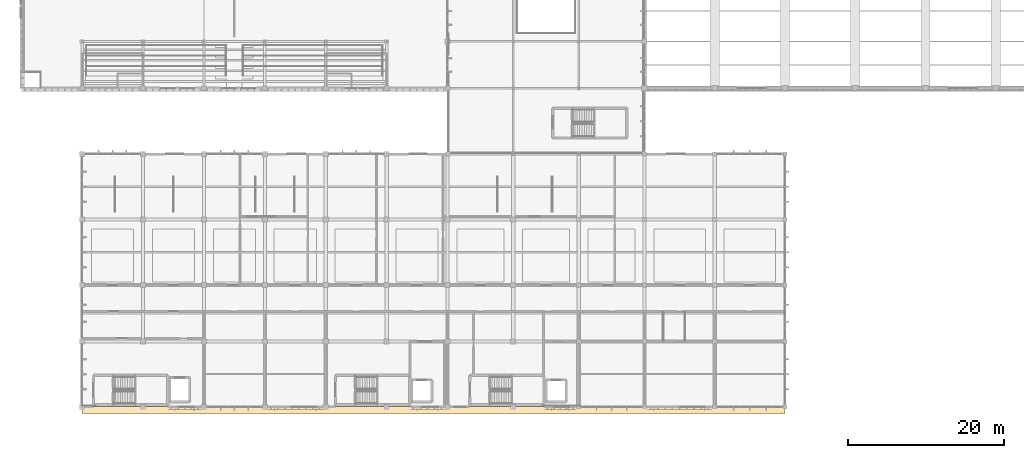
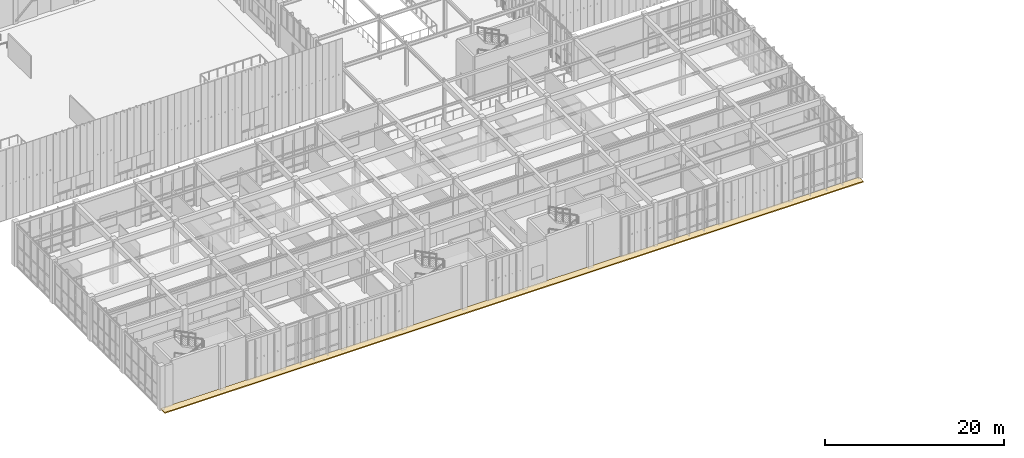
# One storey, part 90 of 105: 1 covering.
"""IFC4 building model written with IfcOpenShell, lengths in metres."""

from ifc_helpers import new_model, si_unit, direction, frame, origin, place, context, subcontext, project, spatial, polyline, outline, extrude, material, layer, layer_set, type_object, element, save


model = new_model("IFC4")

# Units and contexts
model_context = context("Model", 3, precision=1e-05, world=origin(), true_north=direction((0.0, 1.0)))
body_context = subcontext(model_context, "Body", "Model", "MODEL_VIEW")
ifc_project = project(units=[si_unit("LENGTHUNIT", "METRE"), si_unit("AREAUNIT", "SQUARE_METRE"), si_unit("VOLUMEUNIT", "CUBIC_METRE"), si_unit("PLANEANGLEUNIT", "RADIAN"), si_unit("MASSUNIT", "GRAM", prefix="KILO")], contexts=[model_context])

# Site, building, storey
site_placement = place(None, origin())
site = spatial("IfcSite", under=ifc_project, at=site_placement, CompositionType="ELEMENT")
building_placement = place(site_placement, origin())
building = spatial("IfcBuilding", under=site, at=building_placement, Name="Tizgana Railside Sports Hall", CompositionType="ELEMENT")
storey_placement = place(building_placement, frame((0.0, 0.0, 6.0)))
storey = spatial("IfcBuildingStorey", under=building, at=storey_placement, Name="L01", CompositionType="ELEMENT", Elevation=6.0)

# Covering
ifc_material = material(Name="Anodised aluminium roofing", Category="aluminium")
ifc_layer = layer(ifc_material, 0.080078125, Name="Anodised aluminium roofing")
ifc_layer_set = layer_set([ifc_layer], Name="Anodised aluminium roofing")
covering_type = type_object("IfcCoveringType", Name="Standing-Seam Insulated Vault Roofing", PredefinedType="ROOFING", material=ifc_layer_set)
covering_placement = place(storey_placement, frame((0.0, 0.0, -0.139892578125)))
element("IfcCovering", 1, at=covering_placement, inside=storey, type_object=covering_type, Name="L01 South Sun Canopy", PredefinedType="ROOFING", context=body_context, shape_type="SweptSolid", body=[
    extrude(outline(polyline([(7.800048828125, -0.85009765625), (97.800048828125, -0.85009765625), (97.800048828125, 0.080078125), (7.800048828125, 0.080078125), (7.800048828125, -0.85009765625)])), origin(), (0.0, 0.0, 1.0), 0.139892578125),
])

save(model, "model.ifc")
